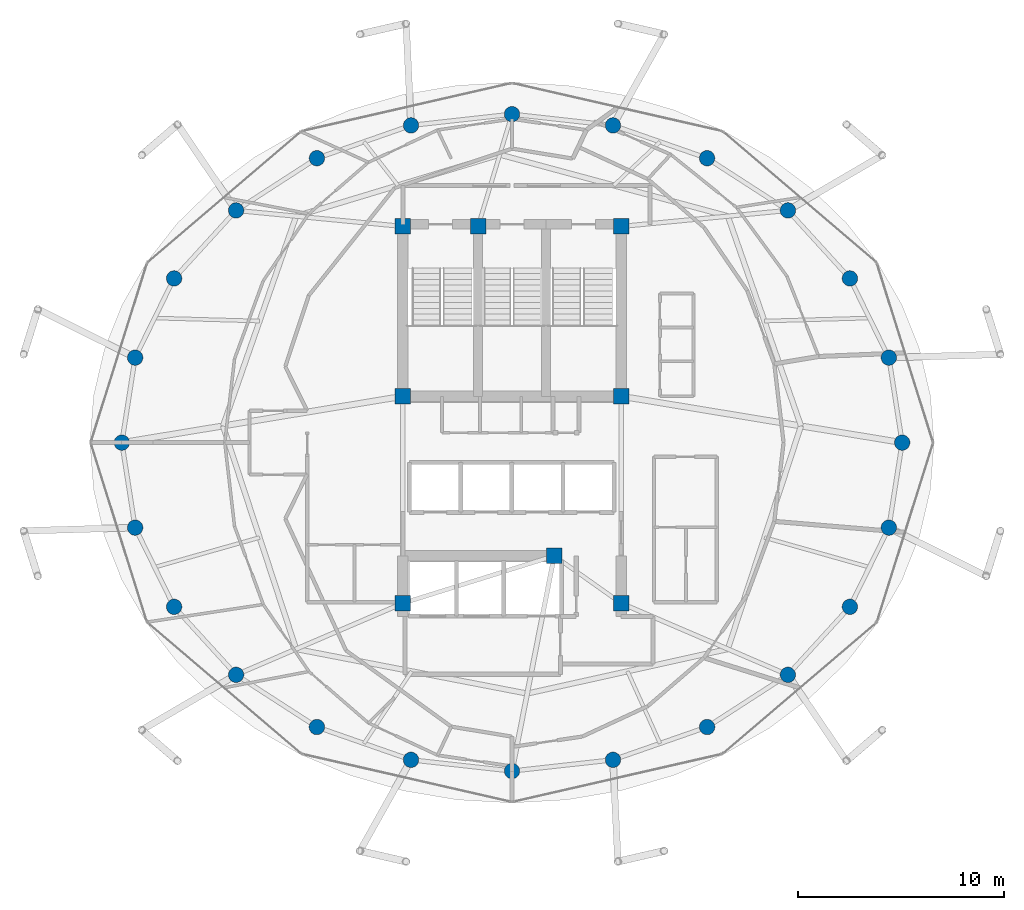
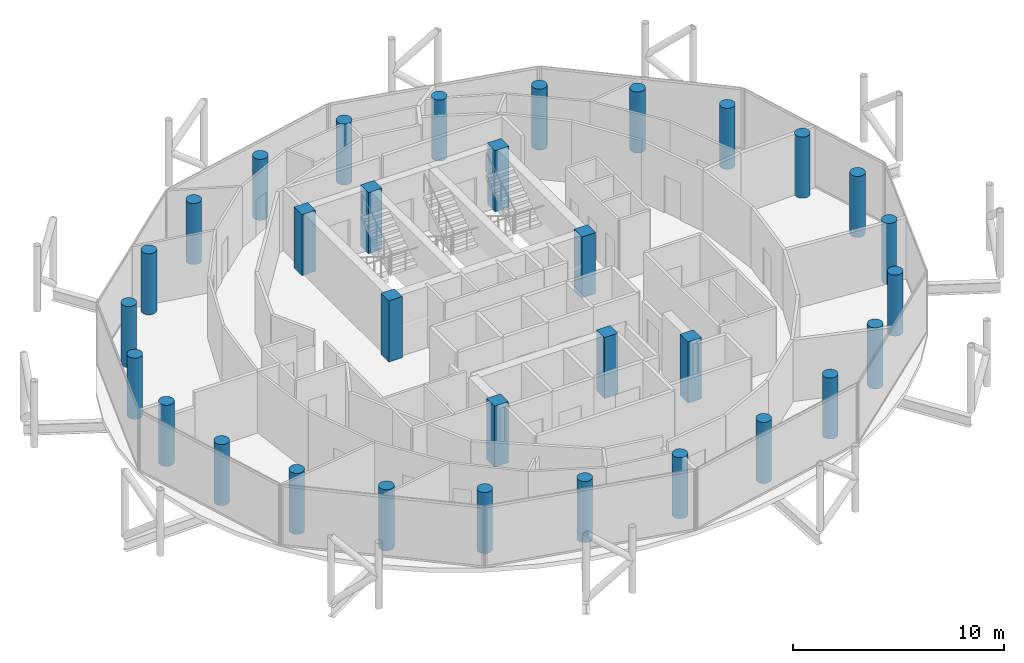
# One storey, part 1 of 24: 32 columns.
"""IFC4 building model written with IfcOpenShell, lengths in metres."""

from ifc_helpers import new_model, si_unit, direction, frame, origin, origin_2d, place, context, subcontext, project, spatial, rectangle, circle, extrude, material, material_profile, profile_set, type_object, element, save


model = new_model("IFC4")

# Units and contexts
model_context = context("Model", 3, precision=1e-05, world=origin(), true_north=direction((0.0, 1.0)))
body_context = subcontext(model_context, "Body", "Model", "MODEL_VIEW")
ifc_project = project(units=[si_unit("LENGTHUNIT", "METRE"), si_unit("AREAUNIT", "SQUARE_METRE"), si_unit("VOLUMEUNIT", "CUBIC_METRE"), si_unit("PLANEANGLEUNIT", "RADIAN"), si_unit("MASSUNIT", "GRAM", prefix="KILO")], contexts=[model_context])

# Site, building, storey
site_placement = place(None, origin())
site = spatial("IfcSite", under=ifc_project, at=site_placement, CompositionType="ELEMENT")
building_placement = place(site_placement, origin())
building = spatial("IfcBuilding", under=site, at=building_placement, Name="Nuhasar Tower", CompositionType="ELEMENT")
storey_placement = place(building_placement, frame((0.0, 0.0, 293.60009765625)))
storey = spatial("IfcBuildingStorey", under=building, at=storey_placement, Name="L73", CompositionType="ELEMENT", Elevation=293.60009765625)

# Columns
ifc_material = material(Name="Concrete C50/60", Category="concrete")
ifc_material_profile_1 = material_profile(ifc_material, circle(Radius=0.375, at=origin_2d()), Name="CFT750")
ifc_profile_set_1 = profile_set([ifc_material_profile_1], Name="Concrete C50/60")
column_type_1 = type_object("IfcColumnType", Name="COL-CFT-750", PredefinedType="COLUMN", material=ifc_profile_set_1)
for number, where, z_axis, x_axis, name in (
    (1, (57.949951171875, 26.800048828125, 0.0), (0.0, 0.0, 1.0), (1.0, 0.0, 0.0), "L73 Perimeter Composite Column TC-01"),
    (2, (57.303955078125, 30.927978515625, 0.0), (0.0, 0.0, 1.0), (1.0, 0.0, 0.0), "L73 Perimeter Composite Column TC-02"),
    (3, (55.410888671875, 34.77490234375, 0.0), (0.0, 0.0, 1.0), (1.0, 0.0, 0.0), "L73 Perimeter Composite Column TC-03"),
    (4, (52.39990234375, 38.077880859375, 0.0), (0.0, 0.0, 1.0), (1.0, 0.0, 0.0), "L73 Perimeter Composite Column TC-04"),
    (5, (48.47509765625, 40.613037109375, 0.0), (0.0, 0.0, 1.0), (1.0, 0.0, 0.0), "L73 Perimeter Composite Column TC-05"),
    (6, (43.905029296875, 42.20703125, 0.0), (0.0, 0.0, 1.0), (1.0, 0.0, 0.0), "L73 Perimeter Composite Column TC-06"),
    (7, (39.0, 42.75, 0.0), (0.0, 0.0, 1.0), (1.0, 0.0, 0.0), "L73 Perimeter Composite Column TC-07"),
    (8, (34.094970703125, 42.20703125, 0.0), (0.0, 0.0, 1.0), (1.0, 0.0, 0.0), "L73 Perimeter Composite Column TC-08"),
    (9, (29.52490234375, 40.613037109375, 0.0), (0.0, 0.0, 1.0), (1.0, 0.0, 0.0), "L73 Perimeter Composite Column TC-09"),
    (10, (25.60009765625, 38.077880859375, 0.0), (0.0, 0.0, 1.0), (1.0, 0.0, 0.0), "L73 Perimeter Composite Column TC-10"),
    (11, (22.589111328125, 34.77490234375, 0.0), (0.0, 0.0, 1.0), (1.0, 0.0, 0.0), "L73 Perimeter Composite Column TC-11"),
    (12, (20.696044921875, 30.927978515625, 0.0), (0.0, 0.0, 1.0), (1.0, 0.0, 0.0), "L73 Perimeter Composite Column TC-12"),
    (13, (20.050048828125, 26.800048828125, 0.0), (0.0, 0.0, 1.0), (1.0, 0.0, 0.0), "L73 Perimeter Composite Column TC-13"),
    (14, (20.696044921875, 22.672119140625, 0.0), (0.0, 0.0, 1.0), (1.0, 0.0, 0.0), "L73 Perimeter Composite Column TC-14"),
    (15, (22.589111328125, 18.824951171875, 0.0), (0.0, 0.0, 1.0), (1.0, 0.0, 0.0), "L73 Perimeter Composite Column TC-15"),
    (16, (25.60009765625, 15.52197265625, 0.0), (0.0, 0.0, 1.0), (1.0, 0.0, 0.0), "L73 Perimeter Composite Column TC-16"),
    (17, (29.52490234375, 12.987060546875, 0.0), (0.0, 0.0, 1.0), (1.0, 0.0, 0.0), "L73 Perimeter Composite Column TC-17"),
    (18, (34.094970703125, 11.39306640625, 0.0), (0.0, 0.0, 1.0), (1.0, 0.0, 0.0), "L73 Perimeter Composite Column TC-18"),
    (19, (39.0, 10.85009765625, 0.0), (0.0, 0.0, 1.0), (1.0, 0.0, 0.0), "L73 Perimeter Composite Column TC-19"),
    (20, (43.905029296875, 11.39306640625, 0.0), (0.0, 0.0, 1.0), (1.0, 0.0, 0.0), "L73 Perimeter Composite Column TC-20"),
    (21, (48.47509765625, 12.987060546875, 0.0), (0.0, 0.0, 1.0), (1.0, 0.0, 0.0), "L73 Perimeter Composite Column TC-21"),
    (22, (52.39990234375, 15.52197265625, 0.0), (0.0, 0.0, 1.0), (1.0, 0.0, 0.0), "L73 Perimeter Composite Column TC-22"),
    (23, (55.410888671875, 18.824951171875, 0.0), (0.0, 0.0, 1.0), (1.0, 0.0, 0.0), "L73 Perimeter Composite Column TC-23"),
    (24, (57.303955078125, 22.672119140625, 0.0), (0.0, 0.0, 1.0), (1.0, 0.0, 0.0), "L73 Perimeter Composite Column TC-24"),
):
    element("IfcColumn", number, at=place(storey_placement, frame(where, z_axis=z_axis, x_axis=x_axis)), inside=storey, type_object=column_type_1, Name=name, PredefinedType="COLUMN", context=body_context, shape_type="SweptSolid", body=[
        extrude(circle(Radius=0.375, at=origin_2d()), origin(), (0.0, 0.0, 1.0), 3.539794921875),
    ])
ifc_material_profile_2 = material_profile(ifc_material, rectangle(XDim=0.75, YDim=0.75, at=origin_2d()), Name="RC750X750")
ifc_profile_set_2 = profile_set([ifc_material_profile_2], Name="Concrete C50/60")
column_type_2 = type_object("IfcColumnType", Name="PIL-RC-750", PredefinedType="PILASTER", material=ifc_profile_set_2)
for number, where, z_axis, x_axis, name in (
    (25, (33.699951171875, 19.0, 0.0), (0.0, 0.0, 1.0), (1.0, 0.0, 0.0), "L73 Core Boundary Pilaster CC-01"),
    (26, (41.050048828125, 21.300048828125, 0.0), (0.0, 0.0, 1.0), (1.0, 0.0, 0.0), "L73 Core Boundary Pilaster CC-02"),
    (27, (44.300048828125, 19.0, 0.0), (0.0, 0.0, 1.0), (1.0, 0.0, 0.0), "L73 Core Boundary Pilaster CC-03"),
    (28, (44.300048828125, 29.050048828125, 0.0), (0.0, 0.0, 1.0), (1.0, 0.0, 0.0), "L73 Core Boundary Pilaster CC-04"),
    (29, (44.300048828125, 37.300048828125, 0.0), (0.0, 0.0, 1.0), (1.0, 0.0, 0.0), "L73 Core Boundary Pilaster CC-05"),
    (30, (37.35009765625, 37.300048828125, 0.0), (0.0, 0.0, 1.0), (1.0, 0.0, 0.0), "L73 Core Boundary Pilaster CC-06"),
    (31, (33.699951171875, 37.300048828125, 0.0), (0.0, 0.0, 1.0), (1.0, 0.0, 0.0), "L73 Core Boundary Pilaster CC-07"),
    (32, (33.699951171875, 29.050048828125, 0.0), (0.0, 0.0, 1.0), (1.0, 0.0, 0.0), "L73 Core Boundary Pilaster CC-08"),
):
    element("IfcColumn", number, at=place(storey_placement, frame(where, z_axis=z_axis, x_axis=x_axis)), inside=storey, type_object=column_type_2, Name=name, PredefinedType="PILASTER", context=body_context, shape_type="SweptSolid", body=[
        extrude(rectangle(XDim=0.75, YDim=0.75, at=origin_2d()), origin(), (0.0, 0.0, 1.0), 3.539794921875),
    ])

save(model, "model.ifc")
